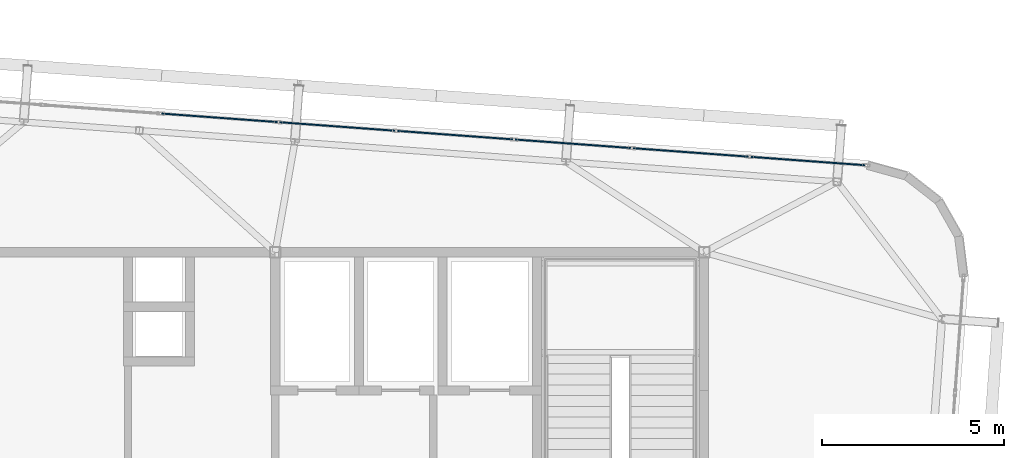
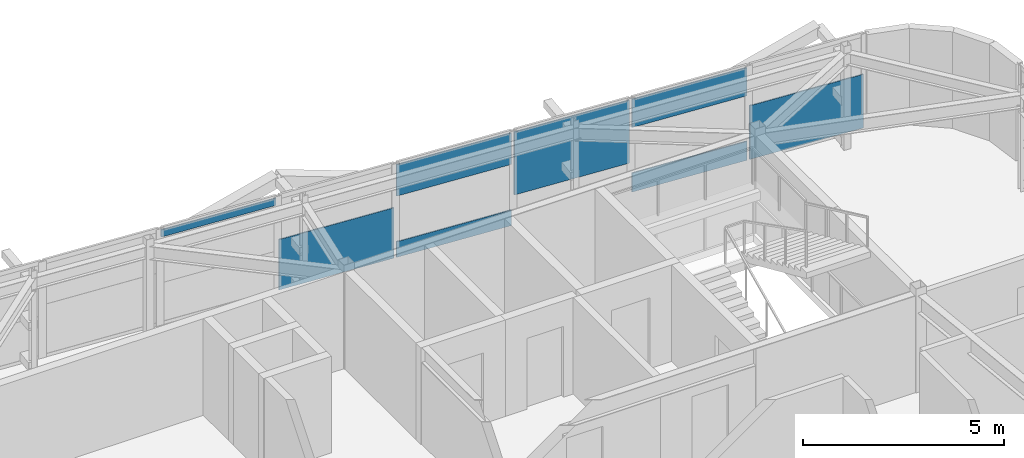
# One storey, part 30 of 42: 8 plates, 1 element without a shape of its own.
"""IFC4 building model written with IfcOpenShell, lengths in metres."""

from ifc_helpers import new_model, si_unit, direction, frame, origin, origin_2d, place, context, subcontext, project, spatial, rectangle, extrude, source, transform, mapped, material, layer, layer_set, type_object, element, aggregate, save


model = new_model("IFC4")

# Units and contexts
model_context = context("Model", 3, precision=1e-05, world=origin(), true_north=direction((0.0, 1.0)))
body_context = subcontext(model_context, "Body", "Model", "MODEL_VIEW")
ifc_project = project(units=[si_unit("LENGTHUNIT", "METRE"), si_unit("AREAUNIT", "SQUARE_METRE"), si_unit("VOLUMEUNIT", "CUBIC_METRE"), si_unit("PLANEANGLEUNIT", "RADIAN"), si_unit("MASSUNIT", "GRAM", prefix="KILO")], contexts=[model_context])

# Site, building, storey
site_placement = place(None, origin())
site = spatial("IfcSite", under=ifc_project, at=site_placement, CompositionType="ELEMENT")
building_placement = place(site_placement, origin())
building = spatial("IfcBuilding", under=site, at=building_placement, Name="Taldren Reach Tower", CompositionType="ELEMENT")
storey_placement = place(building_placement, frame((0.0, 0.0, 224.0)))
storey = spatial("IfcBuildingStorey", under=building, at=storey_placement, Name="L68", CompositionType="ELEMENT", Elevation=224.0)

# Curtain wall, plates
ifc_material_1 = material(Name="Aluminium and Low-E Glass Unitised System", Category="aluminium")
ifc_layer_1 = layer(ifc_material_1, 0.159912109375)
ifc_layer_set_1 = layer_set([ifc_layer_1], Name="Aluminium and Low-E Glass Unitised System")
curtain_wall_type = type_object("IfcCurtainWallType", Name="CW-SYS-6", PredefinedType="NOTDEFINED", material=ifc_layer_set_1)
curtain_wall_placement = place(storey_placement, origin())
curtain_wall = element("IfcCurtainWall", 1, at=curtain_wall_placement, inside=storey, type_object=curtain_wall_type, Name="Unitised curtain wall CW-L68-N", PredefinedType="NOTDEFINED")
ifc_material_2 = material(Name="Acoustic Triple-Laminated IGU", Category="glass")
ifc_layer_2 = layer(ifc_material_2, 0.035888671875)
ifc_layer_set_2 = layer_set([ifc_layer_2], Name="Acoustic Triple-Laminated IGU")
plate_type = type_object("IfcPlateType", Name="CW-PNL-IGU36", PredefinedType="CURTAIN_PANEL", material=ifc_layer_set_2)
shared_shape_1 = source(origin(), body_context, "Body", "SweptSolid", [
    extrude(rectangle(XDim=3.137451171875, YDim=0.035888671875, at=origin_2d()), origin(), (0.0, 0.0, 1.0), 1.63037109375),
])
plate_1_placement = place(storey_placement, frame((53.855224609375, 34.51025390625, 0.06005859375), z_axis=(0.0, 0.0, 1.0), x_axis=(-0.997314476006, 0.073238213716, 0.0)))
plate_1 = element("IfcPlate", 2, at=plate_1_placement, type_object=plate_type, Name="CW-6 panel 1.1 part 1", PredefinedType="CURTAIN_PANEL", context=body_context, shape_type="MappedRepresentation", body=[
    mapped(shared_shape_1, transform((0.0, 0.0, 0.0), scale=1.0)),
])
shared_shape_2 = source(origin(), body_context, "Body", "SweptSolid", [
    extrude(rectangle(XDim=3.175048828125, YDim=0.035888671875, at=origin_2d()), origin(), (0.0, 0.0, 1.0), 0.574462890625),
])
plate_2_placement = place(storey_placement, frame((50.632568359375, 34.746826171875, 0.06005859375), z_axis=(0.0, 0.0, 1.0), x_axis=(-0.997314476006, 0.073238213716, 0.0)))
plate_2 = element("IfcPlate", 3, at=plate_2_placement, type_object=plate_type, Name="CW-6 panel 2.1 part 1", PredefinedType="CURTAIN_PANEL", context=body_context, shape_type="MappedRepresentation", body=[
    mapped(shared_shape_2, transform((0.0, 0.0, 0.0), scale=1.0)),
])
shared_shape_3 = source(origin(), body_context, "Body", "SweptSolid", [
    extrude(rectangle(XDim=3.175048828125, YDim=0.035888671875, at=origin_2d()), origin(), (0.0, 0.0, 1.0), 0.852294921875),
])
plate_3_placement = place(storey_placement, frame((50.632568359375, 34.746826171875, 2.017578125), z_axis=(0.0, 0.0, 1.0), x_axis=(-0.997314476006, 0.073238213716, 0.0)))
plate_3 = element("IfcPlate", 4, at=plate_3_placement, type_object=plate_type, Name="CW-6 panel 2.1 part 2", PredefinedType="CURTAIN_PANEL", context=body_context, shape_type="MappedRepresentation", body=[
    mapped(shared_shape_3, transform((0.0, 0.0, 0.0), scale=1.0)),
])
shared_shape_4 = source(origin(), body_context, "Body", "SweptSolid", [
    extrude(rectangle(XDim=3.175048828125, YDim=0.035888671875, at=origin_2d()), origin(), (0.0, 0.0, 1.0), 1.907958984375),
])
plate_4_placement = place(storey_placement, frame((47.391357421875, 34.98486328125, 0.9619140625), z_axis=(0.0, 0.0, 1.0), x_axis=(-0.997314476006, 0.073238213716, 0.0)))
plate_4 = element("IfcPlate", 5, at=plate_4_placement, type_object=plate_type, Name="CW-6 panel 3.1 part 1", PredefinedType="CURTAIN_PANEL", context=body_context, shape_type="MappedRepresentation", body=[
    mapped(shared_shape_4, transform((0.0, 0.0, 0.0), scale=1.0)),
])
shared_shape_5 = source(origin(), body_context, "Body", "SweptSolid", [
    extrude(rectangle(XDim=3.175048828125, YDim=0.035888671875, at=origin_2d()), origin(), (0.0, 0.0, 1.0), 0.473876953125),
])
plate_5_placement = place(storey_placement, frame((44.150146484375, 35.222900390625, 0.06005859375), z_axis=(0.0, 0.0, 1.0), x_axis=(-0.997314476006, 0.073238213716, 0.0)))
plate_5 = element("IfcPlate", 6, at=plate_5_placement, type_object=plate_type, Name="CW-6 panel 4.1 part 1", PredefinedType="CURTAIN_PANEL", context=body_context, shape_type="MappedRepresentation", body=[
    mapped(shared_shape_5, transform((0.0, 0.0, 0.0), scale=1.0)),
])
shared_shape_6 = source(origin(), body_context, "Body", "SweptSolid", [
    extrude(rectangle(XDim=3.175048828125, YDim=0.035888671875, at=origin_2d()), origin(), (0.0, 0.0, 1.0), 0.952880859375),
])
plate_6_placement = place(storey_placement, frame((44.150146484375, 35.222900390625, 1.9169921875), z_axis=(0.0, 0.0, 1.0), x_axis=(-0.997314476006, 0.073238213716, 0.0)))
plate_6 = element("IfcPlate", 7, at=plate_6_placement, type_object=plate_type, Name="CW-6 panel 4.1 part 2", PredefinedType="CURTAIN_PANEL", context=body_context, shape_type="MappedRepresentation", body=[
    mapped(shared_shape_6, transform((0.0, 0.0, 0.0), scale=1.0)),
])
shared_shape_7 = source(origin(), body_context, "Body", "SweptSolid", [
    extrude(rectangle(XDim=3.175048828125, YDim=0.035888671875, at=origin_2d()), origin(), (0.0, 0.0, 1.0), 1.52978515625),
])
plate_7_placement = place(storey_placement, frame((40.908935546875, 35.4609375, 0.06005859375), z_axis=(0.0, 0.0, 1.0), x_axis=(-0.997314476006, 0.073238213716, 0.0)))
plate_7 = element("IfcPlate", 8, at=plate_7_placement, type_object=plate_type, Name="CW-6 panel 5.1 part 1", PredefinedType="CURTAIN_PANEL", context=body_context, shape_type="MappedRepresentation", body=[
    mapped(shared_shape_7, transform((0.0, 0.0, 0.0), scale=1.0)),
])
shared_shape_8 = source(origin(), body_context, "Body", "SweptSolid", [
    extrude(rectangle(XDim=3.175048828125, YDim=0.035888671875, at=origin_2d()), origin(), (0.0, 0.0, 1.0), 0.215576171875),
])
plate_8_placement = place(storey_placement, frame((37.66748046875, 35.698974609375, 2.654296875), z_axis=(0.0, 0.0, 1.0), x_axis=(-0.997314476006, 0.073238213716, 0.0)))
plate_8 = element("IfcPlate", 9, at=plate_8_placement, type_object=plate_type, Name="CW-6 panel 6.1 part 2", PredefinedType="CURTAIN_PANEL", context=body_context, shape_type="MappedRepresentation", body=[
    mapped(shared_shape_8, transform((0.0, 0.0, 0.0), scale=1.0)),
])
aggregate(curtain_wall, [plate_1, plate_2, plate_3, plate_4, plate_5, plate_6, plate_7, plate_8])

save(model, "model.ifc")
